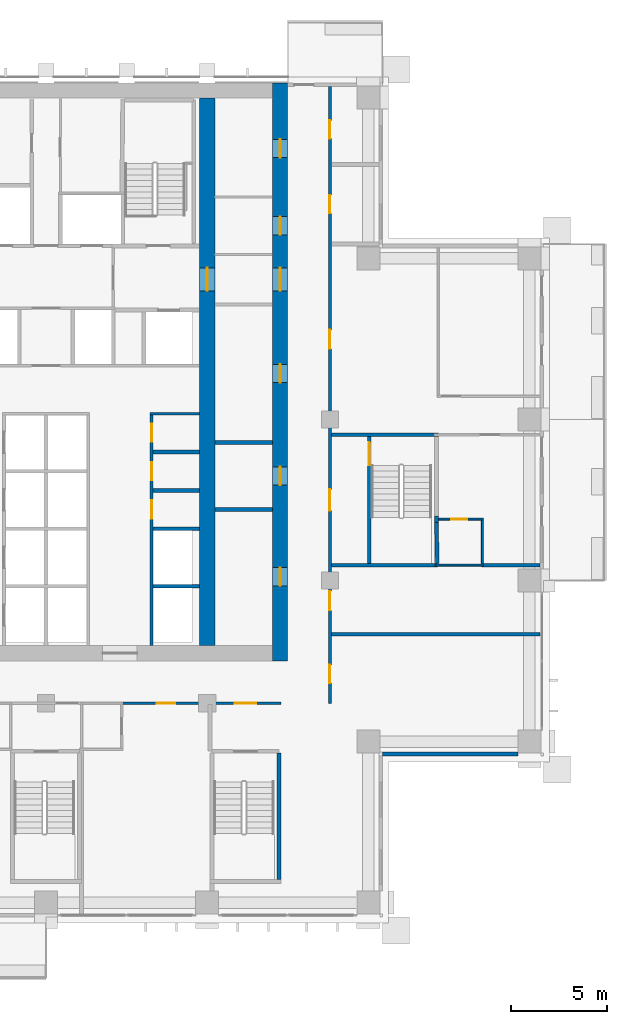
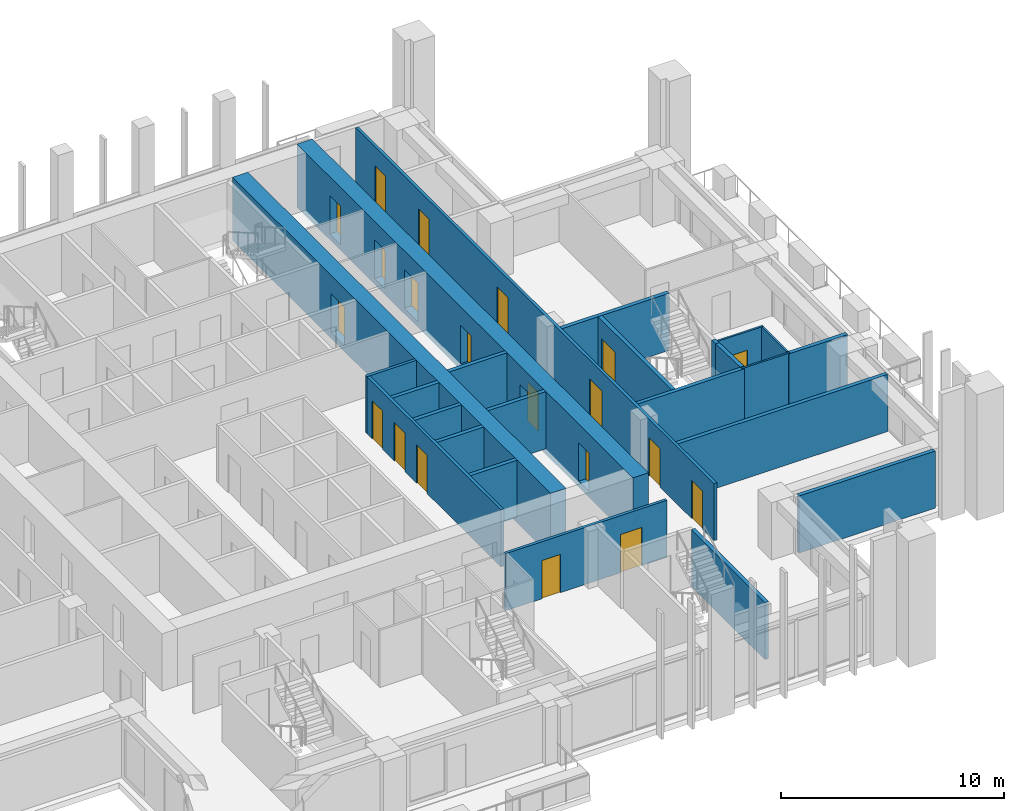
# One storey, part 9 of 17: 24 walls, 20 doors, 20 openings.
"""IFC4 building model written with IfcOpenShell, lengths in metres."""

import ifcopenshell
import ifcopenshell.guid

model = None  # the IFC model being written
_history = None  # IfcOwnerHistory: only IFC2X3 demands one
_inside = {}  # id of a spatial element -> (the spatial element, [elements in it])
_under = {}  # id of a project, library or spatial element -> (it, [spatial elements below it])
_declared = {}  # id of a project -> (the project, [libraries it declares])
_typed = {}  # id of a type object -> (the type object, [elements of that type])
_made_of = {}  # id of a material, layer set ... -> (it, [elements and type objects made of it])


def new_model(schema):
    """Start an empty IFC model of exactly this schema.

    Asked for "IFC4X3", IfcOpenShell would pick the latest addendum, in which some entities
    have other attributes; the version numbers below select the first issue.
    IFC2X3 requires an IfcOwnerHistory on every rooted entity: one is made here for all.
    """
    global model, _history
    if schema == "IFC4X3":
        model = ifcopenshell.file(schema_version=(4, 3, 0, 0))
    else:
        model = ifcopenshell.file(schema=schema)
    _inside.clear()
    _under.clear()
    _declared.clear()
    _typed.clear()
    _made_of.clear()
    _history = None
    if model.schema == "IFC2X3":
        org = make("IfcOrganization", Name="unknown")
        user = make(
            "IfcPersonAndOrganization",
            ThePerson=make("IfcPerson", FamilyName="unknown"),
            TheOrganization=org,
        )
        app = make(
            "IfcApplication",
            ApplicationDeveloper=org,
            Version="unknown",
            ApplicationFullName="unknown",
            ApplicationIdentifier="unknown",
        )
        _history = make(
            "IfcOwnerHistory",
            OwningUser=user,
            OwningApplication=app,
            ChangeAction="ADDED",
            CreationDate=0,
        )
    return model


def make(cls, **values):
    """One entity of the class cls with the attributes given. An attribute that is None is left unset."""
    return model.create_entity(
        cls, **{name: value for name, value in values.items() if value is not None}
    )


def rooted(cls, **values):
    """An entity with a GlobalId (a new one), such as an element, a storey or a relation."""
    return make(cls, GlobalId=ifcopenshell.guid.new(), OwnerHistory=_history, **values)


def si_unit(unit_type, name, prefix=None):
    """IfcSIUnit, for example si_unit("LENGTHUNIT", "METRE", prefix="MILLI")."""
    return make("IfcSIUnit", UnitType=unit_type, Prefix=prefix, Name=name)


def assignment(units):
    """IfcUnitAssignment: the units of a project."""
    return None if units is None else make("IfcUnitAssignment", Units=units)


def point(xyz):
    """IfcCartesianPoint."""
    return None if xyz is None else make("IfcCartesianPoint", Coordinates=xyz)


def direction(xyz):
    """IfcDirection."""
    return None if xyz is None else make("IfcDirection", DirectionRatios=xyz)


def frame(location, z_axis=None, x_axis=None):
    """IfcAxis2Placement3D, a coordinate frame: its origin and axes. An axis left out is left unset."""
    return make(
        "IfcAxis2Placement3D",
        Location=point(location),
        Axis=direction(z_axis),
        RefDirection=direction(x_axis),
    )


def frame_2d(location, x_axis=None):
    """IfcAxis2Placement2D, a coordinate frame in the plane: its origin and x axis."""
    return make(
        "IfcAxis2Placement2D", Location=point(location), RefDirection=direction(x_axis)
    )


def origin():
    """The frame at (0, 0, 0) with its axes left unset."""
    return frame((0.0, 0.0, 0.0))


def place(relative_to, where):
    """IfcLocalPlacement: puts the frame where relative to a parent placement (None: the world)."""
    return make(
        "IfcLocalPlacement", PlacementRelTo=relative_to, RelativePlacement=where
    )


def context(
    kind, dimensions, precision=None, world=None, true_north=None, identifier=None
):
    """IfcGeometricRepresentationContext, for example the 3D "Model" context."""
    return make(
        "IfcGeometricRepresentationContext",
        ContextIdentifier=identifier,
        ContextType=kind,
        CoordinateSpaceDimension=dimensions,
        Precision=precision,
        WorldCoordinateSystem=world,
        TrueNorth=true_north,
    )


def subcontext(parent, identifier, kind, view, scale=None):
    """IfcGeometricRepresentationSubContext, for example "Body" below "Model"."""
    return make(
        "IfcGeometricRepresentationSubContext",
        ContextIdentifier=identifier,
        ContextType=kind,
        ParentContext=parent,
        TargetScale=scale,
        TargetView=view,
    )


def project(units=None, contexts=None):
    """IfcProject with its units and contexts."""
    return rooted(
        "IfcProject",
        Name="project",
        RepresentationContexts=contexts,
        UnitsInContext=assignment(units),
    )


def spatial(cls, under=None, at=None, **own):
    """A site, building, storey or space (cls), placed at a placement, below another one or the project."""
    s = rooted(cls, ObjectPlacement=at, **own)
    if under is not None:
        _under.setdefault(under.id(), (under, []))[1].append(s)
    return s


def profile(cls, at=None, kind="AREA", **sizes):
    """A parametric profile (cls). Its sizes go by their IFC names, for example OverallWidth=200.0."""
    return make(cls, ProfileType=kind, Position=at, **sizes)


def rectangle(**sizes):
    """IfcRectangleProfileDef."""
    return profile("IfcRectangleProfileDef", **sizes)


def extrude(swept, where, along, depth):
    """IfcExtrudedAreaSolid: the profile swept, set in the frame where, extruded along a direction by depth."""
    return make(
        "IfcExtrudedAreaSolid",
        SweptArea=swept,
        Position=where,
        ExtrudedDirection=direction(along),
        Depth=depth,
    )


def shape(context_of_items, identifier, shape_type, items):
    """IfcShapeRepresentation: the items that make up one representation, for example the "Body"."""
    return make(
        "IfcShapeRepresentation",
        ContextOfItems=context_of_items,
        RepresentationIdentifier=identifier,
        RepresentationType=shape_type,
        Items=items,
    )


def material(Name=None, Category=None):
    """IfcMaterial."""
    return make("IfcMaterial", Name=Name, Category=Category)


def layer(
    of_material, thickness, ventilated=None, Name=None, Category=None, Priority=None
):
    """IfcMaterialLayer: one layer of a wall or slab, of a material (None: an air gap)."""
    return make(
        "IfcMaterialLayer",
        Material=of_material,
        LayerThickness=thickness,
        IsVentilated=ventilated,
        Name=Name,
        Category=Category,
        Priority=Priority,
    )


def layer_set(layers, Name=None):
    """IfcMaterialLayerSet."""
    return make("IfcMaterialLayerSet", MaterialLayers=layers, LayerSetName=Name)


def made_of(thing, what):
    """Note that an element or type object is made of a material, layer set ...; save() writes the relation."""
    if what is not None:
        _made_of.setdefault(what.id(), (what, []))[1].append(thing)
    return thing


def type_object(cls, material=None, **own):
    """A type object (cls), such as IfcWallType, which elements share."""
    return made_of(rooted(cls, **own), material)


def element(
    cls,
    number,
    at=None,
    inside=None,
    cuts=None,
    type_object=None,
    material=None,
    context=None,
    identifier="Body",
    shape_type=None,
    held_by="IfcProductDefinitionShape",
    body=None,
    shapes=None,
    **own,
):
    """One element of the class cls, such as IfcWall. Its Tag is "e" and its number.

    at: its placement. inside: the storey or other place that contains it. cuts: it is an
    opening in that element (IfcRelVoidsElement). A single representation is given by context,
    identifier, shape_type and body (its items); several are given by shapes. held_by: the class
    of the entity that holds the representations. save() writes the other relations.
    """
    e = rooted(cls, Tag="e%d" % number, ObjectPlacement=at, **own)
    if body is not None:
        shapes = [shape(context, identifier, shape_type, body)]
    if shapes is not None:
        e.Representation = make(held_by, Representations=shapes)
    if inside is not None:
        _inside.setdefault(inside.id(), (inside, []))[1].append(e)
    if cuts is not None:
        rooted(
            "IfcRelVoidsElement", RelatingBuildingElement=cuts, RelatedOpeningElement=e
        )
    if type_object is not None:
        _typed.setdefault(type_object.id(), (type_object, []))[1].append(e)
    return made_of(e, material)


def fill(opening, filler):
    """IfcRelFillsElement: the door or window that sits in an opening."""
    return rooted(
        "IfcRelFillsElement",
        RelatingOpeningElement=opening,
        RelatedBuildingElement=filler,
    )


def aggregate(whole, parts):
    """IfcRelAggregates: a whole, such as a stair, and the parts it consists of."""
    return rooted("IfcRelAggregates", RelatingObject=whole, RelatedObjects=parts)


def save(model, path):
    """Write the relations noted so far, then the file.

    IfcRelAggregates (storeys below a building ...), IfcRelContainedInSpatialStructure (elements
    in a storey), IfcRelDefinesByType, IfcRelAssociatesMaterial and IfcRelDeclares: one each for
    every whole, place, type object, material and project.
    """
    for whole, parts in _under.values():
        aggregate(whole, parts)
    for where, things in _inside.values():
        rooted(
            "IfcRelContainedInSpatialStructure",
            RelatedElements=things,
            RelatingStructure=where,
        )
    for kind, things in _typed.values():
        rooted("IfcRelDefinesByType", RelatedObjects=things, RelatingType=kind)
    for what, things in _made_of.values():
        rooted("IfcRelAssociatesMaterial", RelatedObjects=things, RelatingMaterial=what)
    for by, libraries in _declared.values():
        rooted("IfcRelDeclares", RelatingContext=by, RelatedDefinitions=libraries)
    model.write(path)


model = new_model("IFC4")

# Units and contexts
model_context = context("Model", 3, precision=1e-05, world=origin(), true_north=direction((0.0, 1.0)))
body_context = subcontext(model_context, "Body", "Model", "MODEL_VIEW")
ifc_project = project(units=[si_unit("LENGTHUNIT", "METRE"), si_unit("AREAUNIT", "SQUARE_METRE"), si_unit("VOLUMEUNIT", "CUBIC_METRE"), si_unit("PLANEANGLEUNIT", "RADIAN"), si_unit("MASSUNIT", "GRAM", prefix="KILO")], contexts=[model_context])

# Site, building, storey
site_placement = place(None, origin())
site = spatial("IfcSite", under=ifc_project, at=site_placement, CompositionType="ELEMENT")
building_placement = place(site_placement, origin())
building = spatial("IfcBuilding", under=site, at=building_placement, Name="Vermilion Ogive Tower", CompositionType="ELEMENT")
storey_placement = place(building_placement, frame((0.0, 0.0, 97.64990234375)))
storey = spatial("IfcBuildingStorey", under=building, at=storey_placement, Name="L24", CompositionType="ELEMENT", Elevation=97.64990234375)

# Wall, openings, doors
ifc_material_1 = material(Name="Concrete B80", Category="concrete")
ifc_layer_1 = layer(ifc_material_1, 0.800048828125)
ifc_layer_set_1 = layer_set([ifc_layer_1], Name="Core wall 800 B80")
wall_type_1 = type_object("IfcWallType", Name="Core wall 800 B80", PredefinedType="SHEAR", material=ifc_layer_set_1)
wall_1_placement = place(storey_placement, frame((12.199951171875, -8.39990234375, -0.31982421875), z_axis=(0.0, 0.0, 1.0), x_axis=(0.0, 1.0, 0.0)))
wall_1 = element("IfcWall", 1, at=wall_1_placement, inside=storey, type_object=wall_type_1, Name="L24-CORE-E", PredefinedType="SHEAR", context=body_context, shape_type="SweptSolid", body=[
    extrude(rectangle(XDim=30.14990234375, YDim=0.800048828125, at=frame_2d((15.074951171875, 0.0))), origin(), (0.0, 0.0, 1.0), 3.449951171875),
])
opening_1_placement = place(wall_1_placement, frame((3.925048828125, 0.0, 0.320068359375)))
opening_1 = element("IfcOpeningElement", 2, at=opening_1_placement, cuts=wall_1, Name="Opening DAC045", PredefinedType="OPENING", context=body_context, shape_type="SweptSolid", body=[
    extrude(rectangle(XDim=0.949951171875, YDim=2.10009765625, at=frame_2d((0.47509765625, 1.050048828125))), frame((0.0, 0.409912109375, 0.0), z_axis=(0.0, -1.0, 0.0), x_axis=(1.0, 0.0, 0.0)), (0.0, 0.0, 1.0), 0.820068359375),
])
opening_2_placement = place(wall_1_placement, frame((9.175048828125, 0.0, 0.320068359375)))
opening_2 = element("IfcOpeningElement", 3, at=opening_2_placement, cuts=wall_1, Name="Opening DAC046", PredefinedType="OPENING", context=body_context, shape_type="SweptSolid", body=[
    extrude(rectangle(XDim=0.949951171875, YDim=2.10009765625, at=frame_2d((0.47509765625, 1.050048828125))), frame((0.0, 0.409912109375, 0.0), z_axis=(0.0, -1.0, 0.0), x_axis=(1.0, 0.0, 0.0)), (0.0, 0.0, 1.0), 0.820068359375),
])
opening_3_placement = place(wall_1_placement, frame((14.52490234375, 0.0, 0.320068359375)))
opening_3 = element("IfcOpeningElement", 4, at=opening_3_placement, cuts=wall_1, Name="Opening DAC047", PredefinedType="OPENING", context=body_context, shape_type="SweptSolid", body=[
    extrude(rectangle(XDim=0.949951171875, YDim=2.10009765625, at=frame_2d((0.47509765625, 1.050048828125))), frame((0.0, 0.409912109375, 0.0), z_axis=(0.0, -1.0, 0.0), x_axis=(1.0, 0.0, 0.0)), (0.0, 0.0, 1.0), 0.820068359375),
])
opening_4_placement = place(wall_1_placement, frame((22.22509765625, 0.0, 0.320068359375)))
opening_4 = element("IfcOpeningElement", 5, at=opening_4_placement, cuts=wall_1, Name="Opening DAC048", PredefinedType="OPENING", context=body_context, shape_type="SweptSolid", body=[
    extrude(rectangle(XDim=0.949951171875, YDim=2.10009765625, at=frame_2d((0.47509765625, 1.050048828125))), frame((0.0, 0.409912109375, 0.0), z_axis=(0.0, -1.0, 0.0), x_axis=(1.0, 0.0, 0.0)), (0.0, 0.0, 1.0), 0.820068359375),
])
opening_5_placement = place(wall_1_placement, frame((26.25, 0.0, 0.320068359375)))
opening_5 = element("IfcOpeningElement", 6, at=opening_5_placement, cuts=wall_1, Name="Opening DAC049", PredefinedType="OPENING", context=body_context, shape_type="SweptSolid", body=[
    extrude(rectangle(XDim=0.949951171875, YDim=2.10009765625, at=frame_2d((0.47509765625, 1.050048828125))), frame((0.0, 0.409912109375, 0.0), z_axis=(0.0, -1.0, 0.0), x_axis=(1.0, 0.0, 0.0)), (0.0, 0.0, 1.0), 0.820068359375),
])
opening_6_placement = place(wall_1_placement, frame((19.300048828125, 0.0, 0.320068359375)))
opening_6 = element("IfcOpeningElement", 7, at=opening_6_placement, cuts=wall_1, Name="Opening DAL009", PredefinedType="OPENING", context=body_context, shape_type="SweptSolid", body=[
    extrude(rectangle(XDim=1.199951171875, YDim=2.10009765625, at=frame_2d((0.60009765625, 1.050048828125))), frame((0.0, 0.409912109375, 0.0), z_axis=(0.0, -1.0, 0.0), x_axis=(1.0, 0.0, 0.0)), (0.0, 0.0, 1.0), 0.820068359375),
])
ifc_material_2 = material(Name="Timber door leaf", Category="wood")
door_type_1 = type_object("IfcDoorType", Name="Link door 1200 x 2100 FD60S", OperationType="SINGLE_SWING_LEFT", PredefinedType="DOOR", material=ifc_material_2)
door_1_placement = place(opening_6_placement, origin())
door_1 = element("IfcDoor", 8, at=door_1_placement, inside=storey, type_object=door_type_1, Name="L24-CKE-XL", OperationType="SINGLE_SWING_LEFT", OverallHeight=2.10009765625, OverallWidth=1.199951171875, PredefinedType="DOOR", context=body_context, shape_type="SweptSolid", body=[
    extrude(rectangle(XDim=1.199951171875, YDim=2.10009765625, at=frame_2d((0.60009765625, 1.050048828125))), frame((0.0, 0.02490234375, 0.0), z_axis=(0.0, -1.0, 0.0), x_axis=(1.0, 0.0, 0.0)), (0.0, 0.0, 1.0), 0.050048828125),
])
fill(opening_6, door_1)
ifc_material_3 = material(Name="Timber door leaf", Category="wood")
door_type_2 = type_object("IfcDoorType", Name="Service door 950 x 2100 FD60", OperationType="SINGLE_SWING_LEFT", PredefinedType="DOOR", material=ifc_material_3)
door_2_placement = place(opening_1_placement, origin())
door_2 = element("IfcDoor", 9, at=door_2_placement, inside=storey, type_object=door_type_2, Name="L24-CKE-XR0", OperationType="SINGLE_SWING_LEFT", OverallHeight=2.10009765625, OverallWidth=0.949951171875, PredefinedType="DOOR", context=body_context, shape_type="SweptSolid", body=[
    extrude(rectangle(XDim=0.949951171875, YDim=2.10009765625, at=frame_2d((0.47509765625, 1.050048828125))), frame((0.0, 0.02490234375, 0.0), z_axis=(0.0, -1.0, 0.0), x_axis=(1.0, 0.0, 0.0)), (0.0, 0.0, 1.0), 0.050048828125),
])
fill(opening_1, door_2)
door_3_placement = place(opening_2_placement, origin())
door_3 = element("IfcDoor", 10, at=door_3_placement, inside=storey, type_object=door_type_2, Name="L24-CKE-XR1", OperationType="SINGLE_SWING_LEFT", OverallHeight=2.10009765625, OverallWidth=0.949951171875, PredefinedType="DOOR", context=body_context, shape_type="SweptSolid", body=[
    extrude(rectangle(XDim=0.949951171875, YDim=2.10009765625, at=frame_2d((0.47509765625, 1.050048828125))), frame((0.0, 0.02490234375, 0.0), z_axis=(0.0, -1.0, 0.0), x_axis=(1.0, 0.0, 0.0)), (0.0, 0.0, 1.0), 0.050048828125),
])
fill(opening_2, door_3)
door_4_placement = place(opening_3_placement, origin())
door_4 = element("IfcDoor", 11, at=door_4_placement, inside=storey, type_object=door_type_2, Name="L24-CKE-XR2", OperationType="SINGLE_SWING_LEFT", OverallHeight=2.10009765625, OverallWidth=0.949951171875, PredefinedType="DOOR", context=body_context, shape_type="SweptSolid", body=[
    extrude(rectangle(XDim=0.949951171875, YDim=2.10009765625, at=frame_2d((0.47509765625, 1.050048828125))), frame((0.0, 0.02490234375, 0.0), z_axis=(0.0, -1.0, 0.0), x_axis=(1.0, 0.0, 0.0)), (0.0, 0.0, 1.0), 0.050048828125),
])
fill(opening_3, door_4)
door_5_placement = place(opening_4_placement, origin())
door_5 = element("IfcDoor", 12, at=door_5_placement, inside=storey, type_object=door_type_2, Name="L24-CKE-XR3", OperationType="SINGLE_SWING_LEFT", OverallHeight=2.10009765625, OverallWidth=0.949951171875, PredefinedType="DOOR", context=body_context, shape_type="SweptSolid", body=[
    extrude(rectangle(XDim=0.949951171875, YDim=2.10009765625, at=frame_2d((0.47509765625, 1.050048828125))), frame((0.0, 0.02490234375, 0.0), z_axis=(0.0, -1.0, 0.0), x_axis=(1.0, 0.0, 0.0)), (0.0, 0.0, 1.0), 0.050048828125),
])
fill(opening_4, door_5)
door_6_placement = place(opening_5_placement, origin())
door_6 = element("IfcDoor", 13, at=door_6_placement, inside=storey, type_object=door_type_2, Name="L24-CKE-XR4", OperationType="SINGLE_SWING_LEFT", OverallHeight=2.10009765625, OverallWidth=0.949951171875, PredefinedType="DOOR", context=body_context, shape_type="SweptSolid", body=[
    extrude(rectangle(XDim=0.949951171875, YDim=2.10009765625, at=frame_2d((0.47509765625, 1.050048828125))), frame((0.0, 0.02490234375, 0.0), z_axis=(0.0, -1.0, 0.0), x_axis=(1.0, 0.0, 0.0)), (0.0, 0.0, 1.0), 0.050048828125),
])
fill(opening_5, door_6)

# Wall, opening, door
wall_2_placement = place(storey_placement, frame((8.39990234375, -7.60009765625, -0.31982421875), z_axis=(0.0, 0.0, 1.0), x_axis=(0.0, 1.0, 0.0)))
wall_2 = element("IfcWall", 14, at=wall_2_placement, inside=storey, type_object=wall_type_1, Name="L24-CORE-WEB2", PredefinedType="SHEAR", context=body_context, shape_type="SweptSolid", body=[
    extrude(rectangle(XDim=28.550048828125, YDim=0.800048828125, at=frame_2d((14.27490234375, 0.0))), origin(), (0.0, 0.0, 1.0), 3.449951171875),
])
opening_7_placement = place(wall_2_placement, frame((18.5, 0.0, 0.320068359375)))
opening_7 = element("IfcOpeningElement", 15, at=opening_7_placement, cuts=wall_2, Name="Opening DAO009", PredefinedType="OPENING", context=body_context, shape_type="SweptSolid", body=[
    extrude(rectangle(XDim=1.199951171875, YDim=2.10009765625, at=frame_2d((0.60009765625, 1.050048828125))), frame((0.0, 0.409912109375, 0.0), z_axis=(0.0, -1.0, 0.0), x_axis=(1.0, 0.0, 0.0)), (0.0, 0.0, 1.0), 0.820068359375),
])
door_7_placement = place(opening_7_placement, origin())
door_7 = element("IfcDoor", 16, at=door_7_placement, inside=storey, type_object=door_type_1, Name="L24-CKE-XW", OperationType="SINGLE_SWING_LEFT", OverallHeight=2.10009765625, OverallWidth=1.199951171875, PredefinedType="DOOR", context=body_context, shape_type="SweptSolid", body=[
    extrude(rectangle(XDim=1.199951171875, YDim=2.10009765625, at=frame_2d((0.60009765625, 1.050048828125))), frame((0.0, 0.02490234375, 0.0), z_axis=(0.0, -1.0, 0.0), x_axis=(1.0, 0.0, 0.0)), (0.0, 0.0, 1.0), 0.050048828125),
])
fill(opening_7, door_7)

# Wall
ifc_material_4 = material(Name="Gypsum board partition on steel studs", Category="steel")
ifc_layer_2 = layer(ifc_material_4, 0.10009765625)
ifc_layer_set_2 = layer_set([ifc_layer_2], Name="Partition 100 bath")
wall_type_2 = type_object("IfcWallType", Name="Partition 100 bath", PredefinedType="PARTITIONING", material=ifc_layer_set_2)
wall_3_placement = place(storey_placement, frame((20.300048828125, -3.39990234375, 0.0), z_axis=(0.0, 0.0, 1.0), x_axis=(1.0, 0.0, 0.0)))
element("IfcWall", 17, at=wall_3_placement, inside=storey, type_object=wall_type_2, Name="L24-W-W017", PredefinedType="PARTITIONING", context=body_context, shape_type="SweptSolid", body=[
    extrude(rectangle(XDim=2.5, YDim=0.10009765625, at=frame_2d((1.25, 0.0))), origin(), (0.0, 0.0, 1.0), 3.130126953125),
])

# Wall, opening, door
wall_4_placement = place(storey_placement, frame((20.449951171875, -1.0, 0.0), z_axis=(0.0, 0.0, 1.0), x_axis=(1.0, 0.0, 0.0)))
wall_4 = element("IfcWall", 18, at=wall_4_placement, inside=storey, type_object=wall_type_2, Name="L24-W-W019", PredefinedType="PARTITIONING", context=body_context, shape_type="SweptSolid", body=[
    extrude(rectangle(XDim=2.35009765625, YDim=0.10009765625, at=frame_2d((1.175048828125, 0.0))), origin(), (0.0, 0.0, 1.0), 3.130126953125),
])
opening_8_placement = place(wall_4_placement, frame((0.675048828125, 0.0, 0.0)))
opening_8 = element("IfcOpeningElement", 19, at=opening_8_placement, cuts=wall_4, Name="Opening D2G3017", PredefinedType="OPENING", context=body_context, shape_type="SweptSolid", body=[
    extrude(rectangle(XDim=0.85009765625, YDim=2.10009765625, at=frame_2d((0.425048828125, 1.050048828125))), frame((0.0, 0.06005859375, 0.0), z_axis=(0.0, -1.0, 0.0), x_axis=(1.0, 0.0, 0.0)), (0.0, 0.0, 1.0), 0.1201171875),
])
ifc_material_5 = material(Name="Timber door leaf", Category="wood")
door_type_3 = type_object("IfcDoorType", Name="Bath door 850 x 2100 FD30", OperationType="SINGLE_SWING_LEFT", PredefinedType="DOOR", material=ifc_material_5)
door_8_placement = place(opening_8_placement, origin())
door_8 = element("IfcDoor", 20, at=door_8_placement, inside=storey, type_object=door_type_3, Name="L24-D-D017", OperationType="SINGLE_SWING_RIGHT", OverallHeight=2.10009765625, OverallWidth=0.85009765625, PredefinedType="DOOR", context=body_context, shape_type="SweptSolid", body=[
    extrude(rectangle(XDim=0.85009765625, YDim=2.10009765625, at=frame_2d((0.425048828125, 1.050048828125))), frame((0.0, 0.02490234375, 0.0), z_axis=(0.0, -1.0, 0.0), x_axis=(1.0, 0.0, 0.0)), (0.0, 0.0, 1.0), 0.050048828125),
])
fill(opening_8, door_8)

# Wall
wall_5_placement = place(storey_placement, frame((22.75, -3.300048828125, 0.0), z_axis=(0.0, 0.0, 1.0), x_axis=(0.0, 1.0, 0.0)))
element("IfcWall", 21, at=wall_5_placement, inside=storey, type_object=wall_type_2, Name="L24-W-W051", PredefinedType="PARTITIONING", context=body_context, shape_type="SweptSolid", body=[
    extrude(rectangle(XDim=2.25, YDim=0.10009765625, at=frame_2d((1.125, 0.0))), origin(), (0.0, 0.0, 1.0), 3.130126953125),
])

# Wall, openings, doors
ifc_material_6 = material(Name="Gypsum board partition on steel studs", Category="steel")
ifc_layer_3 = layer(ifc_material_6, 0.14990234375)
ifc_layer_set_3 = layer_set([ifc_layer_3], Name="Partition 150 corridor")
wall_type_3 = type_object("IfcWallType", Name="Partition 150 corridor", PredefinedType="PARTITIONING", material=ifc_layer_set_3)
wall_6_placement = place(storey_placement, frame((3.89990234375, -10.60009765625, 0.0), z_axis=(0.0, 0.0, 1.0), x_axis=(1.0, 0.0, 0.0)))
wall_6 = element("IfcWall", 22, at=wall_6_placement, inside=storey, type_object=wall_type_3, Name="L24-W-W011", PredefinedType="PARTITIONING", context=body_context, shape_type="SweptSolid", body=[
    extrude(rectangle(XDim=8.35009765625, YDim=0.14990234375, at=frame_2d((4.175048828125, 0.0))), origin(), (0.0, 0.0, 1.0), 3.130126953125),
])
opening_9_placement = place(wall_6_placement, frame((1.875, 0.0, 0.0)))
opening_9 = element("IfcOpeningElement", 23, at=opening_9_placement, cuts=wall_6, Name="Opening D2G3011", PredefinedType="OPENING", context=body_context, shape_type="SweptSolid", body=[
    extrude(rectangle(XDim=0.949951171875, YDim=2.10009765625, at=frame_2d((0.47509765625, 1.050048828125))), frame((0.0, 0.0849609375, 0.0), z_axis=(0.0, -1.0, 0.0), x_axis=(1.0, 0.0, 0.0)), (0.0, 0.0, 1.0), 0.169921875),
])
opening_10_placement = place(wall_6_placement, frame((5.9501953125, 0.0, 0.0)))
opening_10 = element("IfcOpeningElement", 24, at=opening_10_placement, cuts=wall_6, Name="Opening D2G3024", PredefinedType="OPENING", context=body_context, shape_type="SweptSolid", body=[
    extrude(rectangle(XDim=1.10009765625, YDim=2.10009765625, at=frame_2d((0.550048828125, 1.050048828125))), frame((0.0, 0.0849609375, 0.0), z_axis=(0.0, -1.0, 0.0), x_axis=(1.0, 0.0, 0.0)), (0.0, 0.0, 1.0), 0.169921875),
])
ifc_material_7 = material(Name="Timber door leaf", Category="wood")
door_type_4 = type_object("IfcDoorType", Name="Stair door 1100 x 2100 FD60S", OperationType="SINGLE_SWING_LEFT", PredefinedType="DOOR", material=ifc_material_7)
door_9_placement = place(opening_10_placement, origin())
door_9 = element("IfcDoor", 25, at=door_9_placement, inside=storey, type_object=door_type_4, Name="L24-D-D024", OperationType="SINGLE_SWING_LEFT", OverallHeight=2.10009765625, OverallWidth=1.10009765625, PredefinedType="DOOR", context=body_context, shape_type="SweptSolid", body=[
    extrude(rectangle(XDim=1.10009765625, YDim=2.10009765625, at=frame_2d((0.550048828125, 1.050048828125))), frame((0.0, 0.02490234375, 0.0), z_axis=(0.0, -1.0, 0.0), x_axis=(1.0, 0.0, 0.0)), (0.0, 0.0, 1.0), 0.050048828125),
])
fill(opening_10, door_9)
ifc_material_8 = material(Name="Timber door leaf", Category="wood")
door_type_5 = type_object("IfcDoorType", Name="Unit door 950 x 2100 FD30S", OperationType="SINGLE_SWING_LEFT", PredefinedType="DOOR", material=ifc_material_8)
door_10_placement = place(opening_9_placement, origin())
door_10 = element("IfcDoor", 26, at=door_10_placement, inside=storey, type_object=door_type_5, Name="L24-D-D011", OperationType="SINGLE_SWING_LEFT", OverallHeight=2.10009765625, OverallWidth=0.949951171875, PredefinedType="DOOR", context=body_context, shape_type="SweptSolid", body=[
    extrude(rectangle(XDim=0.949951171875, YDim=2.10009765625, at=frame_2d((0.47509765625, 1.050048828125))), frame((0.0, 0.02490234375, 0.0), z_axis=(0.0, -1.0, 0.0), x_axis=(1.0, 0.0, 0.0)), (0.0, 0.0, 1.0), 0.050048828125),
])
fill(opening_9, door_10)

wall_7_placement = place(storey_placement, frame((14.800048828125, -10.60009765625, 0.0), z_axis=(0.0, 0.0, 1.0), x_axis=(0.0, 1.0, 0.0)))
wall_7 = element("IfcWall", 27, at=wall_7_placement, inside=storey, type_object=wall_type_3, Name="L24-W-W046", PredefinedType="PARTITIONING", context=body_context, shape_type="SweptSolid", body=[
    extrude(rectangle(XDim=32.150146484375, YDim=0.14990234375, at=frame_2d((16.0751953125, 0.0))), origin(), (0.0, 0.0, 1.0), 3.130126953125),
])
opening_11_placement = place(wall_7_placement, frame((1.050048828125, 0.0, 0.0)))
opening_11 = element("IfcOpeningElement", 28, at=opening_11_placement, cuts=wall_7, Name="Opening D2G3013", PredefinedType="OPENING", context=body_context, shape_type="SweptSolid", body=[
    extrude(rectangle(XDim=0.949951171875, YDim=2.10009765625, at=frame_2d((0.47509765625, 1.050048828125))), frame((0.0, 0.0849609375, 0.0), z_axis=(0.0, -1.0, 0.0), x_axis=(1.0, 0.0, 0.0)), (0.0, 0.0, 1.0), 0.169921875),
])
opening_12_placement = place(wall_7_placement, frame((18.47509765625, 0.0, 0.0)))
opening_12 = element("IfcOpeningElement", 29, at=opening_12_placement, cuts=wall_7, Name="Opening D2G3015", PredefinedType="OPENING", context=body_context, shape_type="SweptSolid", body=[
    extrude(rectangle(XDim=1.0, YDim=2.10009765625, at=frame_2d((0.5, 1.050048828125))), frame((0.0, 0.0849609375, 0.0), z_axis=(0.0, -1.0, 0.0), x_axis=(1.0, 0.0, 0.0)), (0.0, 0.0, 1.0), 0.169921875),
])
opening_13_placement = place(wall_7_placement, frame((25.550048828125, 0.0, 0.0)))
opening_13 = element("IfcOpeningElement", 30, at=opening_13_placement, cuts=wall_7, Name="Opening D2G3018", PredefinedType="OPENING", context=body_context, shape_type="SweptSolid", body=[
    extrude(rectangle(XDim=0.949951171875, YDim=2.10009765625, at=frame_2d((0.47509765625, 1.050048828125))), frame((0.0, 0.0849609375, 0.0), z_axis=(0.0, -1.0, 0.0), x_axis=(1.0, 0.0, 0.0)), (0.0, 0.0, 1.0), 0.169921875),
])
opening_14_placement = place(wall_7_placement, frame((29.4501953125, 0.0, 0.0)))
opening_14 = element("IfcOpeningElement", 31, at=opening_14_placement, cuts=wall_7, Name="Opening D2G3019", PredefinedType="OPENING", context=body_context, shape_type="SweptSolid", body=[
    extrude(rectangle(XDim=0.949951171875, YDim=2.10009765625, at=frame_2d((0.47509765625, 1.050048828125))), frame((0.0, 0.0849609375, 0.0), z_axis=(0.0, -1.0, 0.0), x_axis=(1.0, 0.0, 0.0)), (0.0, 0.0, 1.0), 0.169921875),
])
opening_15_placement = place(wall_7_placement, frame((10.050048828125, 0.0, 0.0)))
opening_15 = element("IfcOpeningElement", 32, at=opening_15_placement, cuts=wall_7, Name="Opening D2G3026", PredefinedType="OPENING", context=body_context, shape_type="SweptSolid", body=[
    extrude(rectangle(XDim=1.10009765625, YDim=2.10009765625, at=frame_2d((0.550048828125, 1.050048828125))), frame((0.0, 0.0849609375, 0.0), z_axis=(0.0, -1.0, 0.0), x_axis=(1.0, 0.0, 0.0)), (0.0, 0.0, 1.0), 0.169921875),
])
opening_16_placement = place(wall_7_placement, frame((4.85009765625, 0.0, 0.0)))
opening_16 = element("IfcOpeningElement", 33, at=opening_16_placement, cuts=wall_7, Name="Opening D2G3031", PredefinedType="OPENING", context=body_context, shape_type="SweptSolid", body=[
    extrude(rectangle(XDim=1.0, YDim=2.10009765625, at=frame_2d((0.5, 1.050048828125))), frame((0.0, 0.0849609375, 0.0), z_axis=(0.0, -1.0, 0.0), x_axis=(1.0, 0.0, 0.0)), (0.0, 0.0, 1.0), 0.169921875),
])
door_11_placement = place(opening_15_placement, origin())
door_11 = element("IfcDoor", 34, at=door_11_placement, inside=storey, type_object=door_type_4, Name="L24-D-D026", OperationType="SINGLE_SWING_LEFT", OverallHeight=2.10009765625, OverallWidth=1.10009765625, PredefinedType="DOOR", context=body_context, shape_type="SweptSolid", body=[
    extrude(rectangle(XDim=1.10009765625, YDim=2.10009765625, at=frame_2d((0.550048828125, 1.050048828125))), frame((0.0, 0.02490234375, 0.0), z_axis=(0.0, -1.0, 0.0), x_axis=(1.0, 0.0, 0.0)), (0.0, 0.0, 1.0), 0.050048828125),
])
fill(opening_15, door_11)
ifc_material_9 = material(Name="Timber door leaf", Category="wood")
door_type_6 = type_object("IfcDoorType", Name="Unit door 1000 x 2100 FD30S", OperationType="SINGLE_SWING_LEFT", PredefinedType="DOOR", material=ifc_material_9)
door_12_placement = place(opening_12_placement, origin())
door_12 = element("IfcDoor", 35, at=door_12_placement, inside=storey, type_object=door_type_6, Name="L24-D-D015", OperationType="SINGLE_SWING_LEFT", OverallHeight=2.10009765625, OverallWidth=1.0, PredefinedType="DOOR", context=body_context, shape_type="SweptSolid", body=[
    extrude(rectangle(XDim=1.0, YDim=2.10009765625, at=frame_2d((0.5, 1.050048828125))), frame((0.0, 0.02490234375, 0.0), z_axis=(0.0, -1.0, 0.0), x_axis=(1.0, 0.0, 0.0)), (0.0, 0.0, 1.0), 0.050048828125),
])
fill(opening_12, door_12)
door_13_placement = place(opening_16_placement, origin())
door_13 = element("IfcDoor", 36, at=door_13_placement, inside=storey, type_object=door_type_6, Name="L24-D-D031", OperationType="SINGLE_SWING_LEFT", OverallHeight=2.10009765625, OverallWidth=1.0, PredefinedType="DOOR", context=body_context, shape_type="SweptSolid", body=[
    extrude(rectangle(XDim=1.0, YDim=2.10009765625, at=frame_2d((0.5, 1.050048828125))), frame((0.0, 0.02490234375, 0.0), z_axis=(0.0, -1.0, 0.0), x_axis=(1.0, 0.0, 0.0)), (0.0, 0.0, 1.0), 0.050048828125),
])
fill(opening_16, door_13)
door_14_placement = place(opening_11_placement, origin())
door_14 = element("IfcDoor", 37, at=door_14_placement, inside=storey, type_object=door_type_5, Name="L24-D-D013", OperationType="SINGLE_SWING_RIGHT", OverallHeight=2.10009765625, OverallWidth=0.949951171875, PredefinedType="DOOR", context=body_context, shape_type="SweptSolid", body=[
    extrude(rectangle(XDim=0.949951171875, YDim=2.10009765625, at=frame_2d((0.47509765625, 1.050048828125))), frame((0.0, 0.02490234375, 0.0), z_axis=(0.0, -1.0, 0.0), x_axis=(1.0, 0.0, 0.0)), (0.0, 0.0, 1.0), 0.050048828125),
])
fill(opening_11, door_14)
door_15_placement = place(opening_13_placement, origin())
door_15 = element("IfcDoor", 38, at=door_15_placement, inside=storey, type_object=door_type_5, Name="L24-D-D018", OperationType="SINGLE_SWING_RIGHT", OverallHeight=2.10009765625, OverallWidth=0.949951171875, PredefinedType="DOOR", context=body_context, shape_type="SweptSolid", body=[
    extrude(rectangle(XDim=0.949951171875, YDim=2.10009765625, at=frame_2d((0.47509765625, 1.050048828125))), frame((0.0, 0.02490234375, 0.0), z_axis=(0.0, -1.0, 0.0), x_axis=(1.0, 0.0, 0.0)), (0.0, 0.0, 1.0), 0.050048828125),
])
fill(opening_13, door_15)
door_16_placement = place(opening_14_placement, origin())
door_16 = element("IfcDoor", 39, at=door_16_placement, inside=storey, type_object=door_type_5, Name="L24-D-D019", OperationType="SINGLE_SWING_LEFT", OverallHeight=2.10009765625, OverallWidth=0.949951171875, PredefinedType="DOOR", context=body_context, shape_type="SweptSolid", body=[
    extrude(rectangle(XDim=0.949951171875, YDim=2.10009765625, at=frame_2d((0.47509765625, 1.050048828125))), frame((0.0, 0.02490234375, 0.0), z_axis=(0.0, -1.0, 0.0), x_axis=(1.0, 0.0, 0.0)), (0.0, 0.0, 1.0), 0.050048828125),
])
fill(opening_14, door_16)

# Wall
wall_8_placement = place(storey_placement, frame((5.425048828125, 4.5, 0.0), z_axis=(0.0, 0.0, 1.0), x_axis=(1.0, 0.0, 0.0)))
element("IfcWall", 40, at=wall_8_placement, inside=storey, type_object=wall_type_3, Name="L24-CK-W-W013", PredefinedType="PARTITIONING", context=body_context, shape_type="SweptSolid", body=[
    extrude(rectangle(XDim=2.573974609375, YDim=0.14990234375, at=frame_2d((1.287109375, 0.0))), origin(), (0.0, 0.0, 1.0), 3.130126953125),
])

# Wall, openings, doors
wall_9_placement = place(storey_placement, frame((5.5, -7.59912109375, 0.0), z_axis=(0.0, 0.0, 1.0), x_axis=(0.0, 1.0, 0.0)))
wall_9 = element("IfcWall", 41, at=wall_9_placement, inside=storey, type_object=wall_type_3, Name="L24-CK-W-W041", PredefinedType="PARTITIONING", context=body_context, shape_type="SweptSolid", body=[
    extrude(rectangle(XDim=12.024169921875, YDim=0.14990234375, at=frame_2d((6.01220703125, 0.0))), origin(), (0.0, 0.0, 1.0), 3.130126953125),
])
opening_17_placement = place(wall_9_placement, frame((6.6240234375, 0.0, 0.0)))
opening_17 = element("IfcOpeningElement", 42, at=opening_17_placement, cuts=wall_9, Name="Opening DAA189", PredefinedType="OPENING", context=body_context, shape_type="SweptSolid", body=[
    extrude(rectangle(XDim=0.949951171875, YDim=2.10009765625, at=frame_2d((0.47509765625, 1.050048828125))), frame((0.0, 0.0849609375, 0.0), z_axis=(0.0, -1.0, 0.0), x_axis=(1.0, 0.0, 0.0)), (0.0, 0.0, 1.0), 0.169921875),
])
opening_18_placement = place(wall_9_placement, frame((8.6240234375, 0.0, 0.0)))
opening_18 = element("IfcOpeningElement", 43, at=opening_18_placement, cuts=wall_9, Name="Opening DAA190", PredefinedType="OPENING", context=body_context, shape_type="SweptSolid", body=[
    extrude(rectangle(XDim=0.949951171875, YDim=2.10009765625, at=frame_2d((0.47509765625, 1.050048828125))), frame((0.0, 0.0849609375, 0.0), z_axis=(0.0, -1.0, 0.0), x_axis=(1.0, 0.0, 0.0)), (0.0, 0.0, 1.0), 0.169921875),
])
opening_19_placement = place(wall_9_placement, frame((10.6240234375, 0.0, 0.0)))
opening_19 = element("IfcOpeningElement", 44, at=opening_19_placement, cuts=wall_9, Name="Opening DAA191", PredefinedType="OPENING", context=body_context, shape_type="SweptSolid", body=[
    extrude(rectangle(XDim=0.949951171875, YDim=2.10009765625, at=frame_2d((0.47509765625, 1.050048828125))), frame((0.0, 0.0849609375, 0.0), z_axis=(0.0, -1.0, 0.0), x_axis=(1.0, 0.0, 0.0)), (0.0, 0.0, 1.0), 0.169921875),
])
door_17_placement = place(opening_17_placement, origin())
door_17 = element("IfcDoor", 45, at=door_17_placement, inside=storey, type_object=door_type_2, Name="L24-CK-D-D009", OperationType="SINGLE_SWING_RIGHT", OverallHeight=2.10009765625, OverallWidth=0.949951171875, PredefinedType="DOOR", context=body_context, shape_type="SweptSolid", body=[
    extrude(rectangle(XDim=0.949951171875, YDim=2.10009765625, at=frame_2d((0.47509765625, 1.050048828125))), frame((0.0, 0.02490234375, 0.0), z_axis=(0.0, -1.0, 0.0), x_axis=(1.0, 0.0, 0.0)), (0.0, 0.0, 1.0), 0.050048828125),
])
fill(opening_17, door_17)
door_18_placement = place(opening_18_placement, origin())
door_18 = element("IfcDoor", 46, at=door_18_placement, inside=storey, type_object=door_type_2, Name="L24-CK-D-D010", OperationType="SINGLE_SWING_LEFT", OverallHeight=2.10009765625, OverallWidth=0.949951171875, PredefinedType="DOOR", context=body_context, shape_type="SweptSolid", body=[
    extrude(rectangle(XDim=0.949951171875, YDim=2.10009765625, at=frame_2d((0.47509765625, 1.050048828125))), frame((0.0, 0.02490234375, 0.0), z_axis=(0.0, -1.0, 0.0), x_axis=(1.0, 0.0, 0.0)), (0.0, 0.0, 1.0), 0.050048828125),
])
fill(opening_18, door_18)
door_19_placement = place(opening_19_placement, origin())
door_19 = element("IfcDoor", 47, at=door_19_placement, inside=storey, type_object=door_type_2, Name="L24-CK-D-D011", OperationType="SINGLE_SWING_RIGHT", OverallHeight=2.10009765625, OverallWidth=0.949951171875, PredefinedType="DOOR", context=body_context, shape_type="SweptSolid", body=[
    extrude(rectangle(XDim=0.949951171875, YDim=2.10009765625, at=frame_2d((0.47509765625, 1.050048828125))), frame((0.0, 0.02490234375, 0.0), z_axis=(0.0, -1.0, 0.0), x_axis=(1.0, 0.0, 0.0)), (0.0, 0.0, 1.0), 0.050048828125),
])
fill(opening_19, door_19)

# Walls
ifc_material_10 = material(Name="Gypsum board partition on steel studs", Category="steel")
ifc_layer_4 = layer(ifc_material_10, 0.199951171875)
ifc_layer_set_4 = layer_set([ifc_layer_4], Name="Partition 200 party")
wall_type_4 = type_object("IfcWallType", Name="Partition 200 party", PredefinedType="PARTITIONING", material=ifc_layer_set_4)
wall_10_placement = place(storey_placement, frame((14.875, -7.0, 0.0), z_axis=(0.0, 0.0, 1.0), x_axis=(1.0, 0.0, 0.0)))
element("IfcWall", 48, at=wall_10_placement, inside=storey, type_object=wall_type_4, Name="L24-W-W013", PredefinedType="PARTITIONING", context=body_context, shape_type="SweptSolid", body=[
    extrude(rectangle(XDim=10.875, YDim=0.199951171875, at=frame_2d((5.4375, 0.0))), origin(), (0.0, 0.0, 1.0), 3.130126953125),
])
wall_11_placement = place(storey_placement, frame((22.699951171875, -3.39990234375, 0.0), z_axis=(0.0, 0.0, 1.0), x_axis=(1.0, 0.0, 0.0)))
element("IfcWall", 49, at=wall_11_placement, inside=storey, type_object=wall_type_4, Name="L24-W-W018", PredefinedType="PARTITIONING", context=body_context, shape_type="SweptSolid", body=[
    extrude(rectangle(XDim=3.050048828125, YDim=0.199951171875, at=frame_2d((1.52490234375, 0.0))), origin(), (0.0, 0.0, 1.0), 3.130126953125),
])
for number, where, z_axis, x_axis, name in (
    (50, (5.574951171875, -4.5, 0.0), (0.0, 0.0, 1.0), (1.0, 0.0, 0.0), "L24-CK-W-W003"),
    (51, (5.574951171875, -1.5, 0.0), (0.0, 0.0, 1.0), (1.0, 0.0, 0.0), "L24-CK-W-W006"),
    (52, (5.574951171875, 0.5, 0.0), (0.0, 0.0, 1.0), (1.0, 0.0, 0.0), "L24-CK-W-W007"),
    (53, (5.574951171875, 2.5, 0.0), (0.0, 0.0, 1.0), (1.0, 0.0, 0.0), "L24-CK-W-W010"),
):
    element("IfcWall", number, at=place(storey_placement, frame(where, z_axis=z_axis, x_axis=x_axis)), inside=storey, type_object=wall_type_4, Name=name, PredefinedType="PARTITIONING", context=body_context, shape_type="SweptSolid", body=[
        extrude(rectangle(XDim=2.424072265625, YDim=0.199951171875, at=frame_2d((1.2119140625, 0.0))), origin(), (0.0, 0.0, 1.0), 3.130126953125),
    ])
for number, where, z_axis, x_axis, name in (
    (54, (8.801025390625, -0.5, 0.0), (0.0, 0.0, 1.0), (1.0, 0.0, 0.0), "L24-CKE-W-W001"),
    (55, (8.801025390625, 3.0, 0.0), (0.0, 0.0, 1.0), (1.0, 0.0, 0.0), "L24-CKE-W-W002"),
):
    element("IfcWall", number, at=place(storey_placement, frame(where, z_axis=z_axis, x_axis=x_axis)), inside=storey, type_object=wall_type_4, Name=name, PredefinedType="PARTITIONING", context=body_context, shape_type="SweptSolid", body=[
        extrude(rectangle(XDim=2.998046875, YDim=0.199951171875, at=frame_2d((1.4990234375, 0.0))), origin(), (0.0, 0.0, 1.0), 3.130126953125),
    ])
ifc_material_11 = material(Name="Concrete B60", Category="concrete")
ifc_layer_5 = layer(ifc_material_11, 0.199951171875)
ifc_layer_set_5 = layer_set([ifc_layer_5], Name="Stair shaft wall 200 Concrete B60")
wall_type_5 = type_object("IfcWallType", Name="Stair shaft wall 200 Concrete B60", PredefinedType="SOLIDWALL", material=ifc_layer_set_5)
wall_12_placement = place(storey_placement, frame((14.875, -3.39990234375, 0.0), z_axis=(0.0, 0.0, 1.0), x_axis=(1.0, 0.0, 0.0)))
element("IfcWall", 56, at=wall_12_placement, inside=storey, type_object=wall_type_5, Name="L24-W-W016", PredefinedType="SOLIDWALL", context=body_context, shape_type="SweptSolid", body=[
    extrude(rectangle(XDim=5.52490234375, YDim=0.199951171875, at=frame_2d((2.762451171875, 0.0))), origin(), (0.0, 0.0, 1.0), 3.130126953125),
])
wall_13_placement = place(storey_placement, frame((14.875, 3.39990234375, 0.0), z_axis=(0.0, 0.0, 1.0), x_axis=(1.0, 0.0, 0.0)))
element("IfcWall", 57, at=wall_13_placement, inside=storey, type_object=wall_type_5, Name="L24-W-W023", PredefinedType="SOLIDWALL", context=body_context, shape_type="SweptSolid", body=[
    extrude(rectangle(XDim=5.574951171875, YDim=0.199951171875, at=frame_2d((2.78759765625, 0.0))), origin(), (0.0, 0.0, 1.0), 3.130126953125),
])

# Wall, opening, door
wall_14_placement = place(storey_placement, frame((16.85009765625, -3.300048828125, 0.0), z_axis=(0.0, 0.0, 1.0), x_axis=(0.0, 1.0, 0.0)))
wall_14 = element("IfcWall", 58, at=wall_14_placement, inside=storey, type_object=wall_type_5, Name="L24-W-W047", PredefinedType="SOLIDWALL", context=body_context, shape_type="SweptSolid", body=[
    extrude(rectangle(XDim=6.60009765625, YDim=0.199951171875, at=frame_2d((3.300048828125, 0.0))), origin(), (0.0, 0.0, 1.0), 3.130126953125),
])
opening_20_placement = place(wall_14_placement, frame((5.10009765625, 0.0, 0.0)))
opening_20 = element("IfcOpeningElement", 59, at=opening_20_placement, cuts=wall_14, Name="Opening D2G3027", PredefinedType="OPENING", context=body_context, shape_type="SweptSolid", body=[
    extrude(rectangle(XDim=1.199951171875, YDim=2.10009765625, at=frame_2d((0.60009765625, 1.050048828125))), frame((0.0, 0.10986328125, 0.0), z_axis=(0.0, -1.0, 0.0), x_axis=(1.0, 0.0, 0.0)), (0.0, 0.0, 1.0), 0.219970703125),
])
ifc_material_12 = material(Name="Timber door leaf", Category="wood")
door_type_7 = type_object("IfcDoorType", Name="Stair door 1200 x 2100 FD60S", OperationType="SINGLE_SWING_LEFT", PredefinedType="DOOR", material=ifc_material_12)
door_20_placement = place(opening_20_placement, origin())
door_20 = element("IfcDoor", 60, at=door_20_placement, inside=storey, type_object=door_type_7, Name="L24-D-D027", OperationType="SINGLE_SWING_LEFT", OverallHeight=2.10009765625, OverallWidth=1.199951171875, PredefinedType="DOOR", context=body_context, shape_type="SweptSolid", body=[
    extrude(rectangle(XDim=1.199951171875, YDim=2.10009765625, at=frame_2d((0.60009765625, 1.050048828125))), frame((0.0, 0.02490234375, 0.0), z_axis=(0.0, -1.0, 0.0), x_axis=(1.0, 0.0, 0.0)), (0.0, 0.0, 1.0), 0.050048828125),
])
fill(opening_20, door_20)

# Walls
wall_15_placement = place(storey_placement, frame((20.400146484375, -3.300048828125, 0.0), z_axis=(0.0, 0.0, 1.0), x_axis=(-0.021771342749, 0.999762976227, 0.0)))
element("IfcWall", 61, at=wall_15_placement, inside=storey, type_object=wall_type_5, Name="L24-W-W048", PredefinedType="SOLIDWALL", context=body_context, shape_type="SweptSolid", body=[
    extrude(rectangle(XDim=2.130615234375, YDim=0.199951171875, at=frame_2d((1.0654296875, 0.0))), origin(), (0.0, 0.0, 1.0), 3.130126953125),
])
wall_16_placement = place(storey_placement, frame((12.14990234375, -19.800048828125, 0.0), z_axis=(0.0, 0.0, 1.0), x_axis=(0.0, 1.0, 0.0)))
element("IfcWall", 62, at=wall_16_placement, inside=storey, type_object=wall_type_5, Name="L24-SW-ST5-E1", PredefinedType="SOLIDWALL", context=body_context, shape_type="SweptSolid", body=[
    extrude(rectangle(XDim=6.60009765625, YDim=0.199951171875, at=frame_2d((3.300048828125, 0.0))), origin(), (0.0, 0.0, 1.0), 3.130126953125),
])
wall_17_placement = place(storey_placement, frame((20.35009765625, -1.169921875, 0.0), z_axis=(0.0, 0.0, 1.0), x_axis=(0.0, 1.0, 0.0)))
element("IfcWall", 63, at=wall_17_placement, inside=storey, type_object=wall_type_5, Name="L24-SW-ST8-E1", PredefinedType="SOLIDWALL", context=body_context, shape_type="SweptSolid", body=[
    extrude(rectangle(XDim=0.33984375, YDim=0.199951171875, at=frame_2d((0.169921875, 0.0))), origin(), (0.0, 0.0, 1.0), 3.130126953125),
])
ifc_material_13 = material(Name="Aluminium window wall framing", Category="aluminium")
ifc_layer_6 = layer(ifc_material_13, 0.199951171875)
ifc_layer_set_6 = layer_set([ifc_layer_6], Name="Window wall")
wall_type_6 = type_object("IfcWallType", Name="Window wall", PredefinedType="STANDARD", material=ifc_layer_set_6)
wall_18_placement = place(storey_placement, frame((17.550048828125, -13.25, 0.0), z_axis=(0.0, 0.0, 1.0), x_axis=(1.0, 0.0, 0.0)))
element("IfcWall", 64, at=wall_18_placement, inside=storey, type_object=wall_type_6, Name="Window wall X21", PredefinedType="STANDARD", context=body_context, shape_type="SweptSolid", body=[
    extrude(rectangle(XDim=7.050048828125, YDim=0.199951171875, at=frame_2d((3.52490234375, 0.0))), origin(), (0.0, 0.0, 1.0), 3.130126953125),
])

save(model, "model.ifc")
